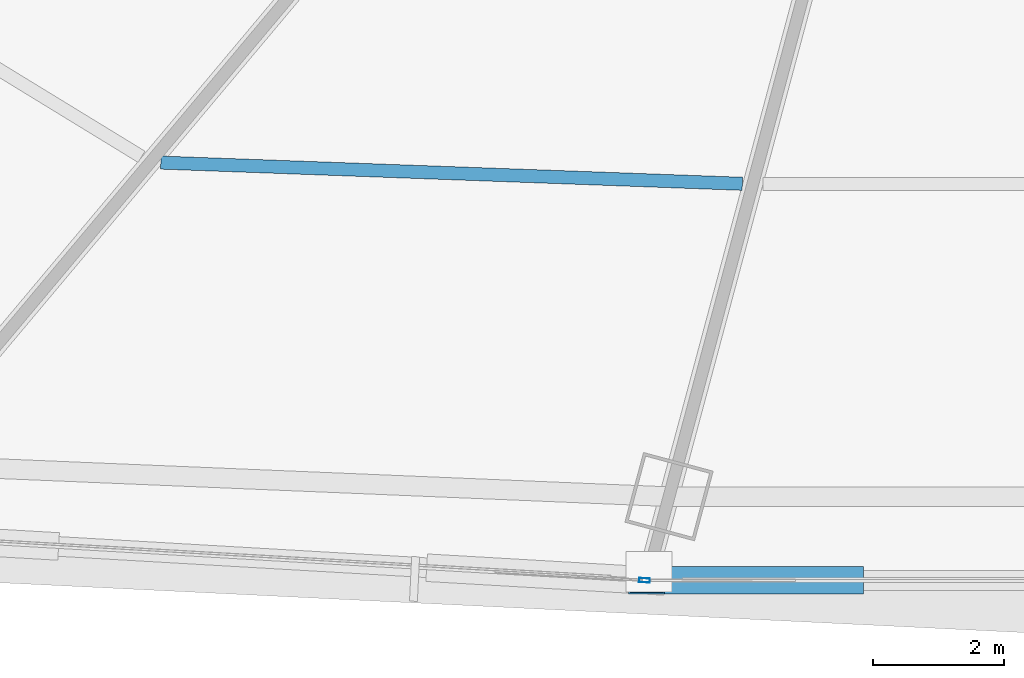
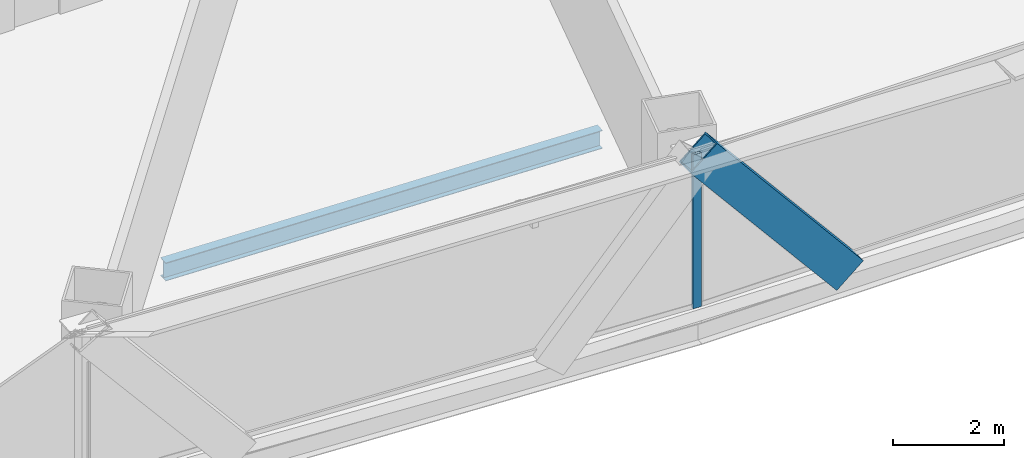
# One storey, part 8 of 37: 2 members, 1 beam, 1 element without a shape of its own.
"""IFC4 building model written with IfcOpenShell, lengths in metres."""

from ifc_helpers import new_model, si_unit, direction, frame, origin, origin_2d, place, context, subcontext, project, spatial, hollow_rectangle, i_section, extrude, source, transform, mapped, material, layer, layer_set, material_profile, profile_set, type_object, element, aggregate, save


model = new_model("IFC4")

# Units and contexts
model_context = context("Model", 3, precision=1e-05, world=origin(), true_north=direction((0.0, 1.0)))
body_context = subcontext(model_context, "Body", "Model", "MODEL_VIEW")
ifc_project = project(units=[si_unit("LENGTHUNIT", "METRE"), si_unit("AREAUNIT", "SQUARE_METRE"), si_unit("VOLUMEUNIT", "CUBIC_METRE"), si_unit("PLANEANGLEUNIT", "RADIAN"), si_unit("MASSUNIT", "GRAM", prefix="KILO"), si_unit("THERMODYNAMICTEMPERATUREUNIT", "KELVIN"), si_unit("POWERUNIT", "WATT")], contexts=[model_context])

# Site, building, storey
site_placement = place(None, origin())
site = spatial("IfcSite", under=ifc_project, at=site_placement, CompositionType="ELEMENT")
building_placement = place(site_placement, origin())
building = spatial("IfcBuilding", under=site, at=building_placement, Name="Yunzhuo Pagoda Commons", CompositionType="ELEMENT")
storey_placement = place(building_placement, frame((0.0, 0.0, 59.43994140625)))
storey = spatial("IfcBuildingStorey", under=building, at=storey_placement, Name="L15", CompositionType="ELEMENT", Elevation=59.43994140625)

# Beam
ifc_material_1 = material(Name="Structural steel Q355B", Category="steel")
ifc_material_profile_1 = material_profile(ifc_material_1, i_section(OverallWidth=0.199951171875, OverallDepth=0.39990234375, WebThickness=0.008056640625, FlangeThickness=0.012939453125, at=origin_2d()), Name="Structural steel Q355B")
ifc_profile_set_1 = profile_set([ifc_material_profile_1], Name="Structural steel Q355B")
beam_type = type_object("IfcBeamType", Name="B-JS1 Joist HN 400x200x8x13", PredefinedType="JOIST", material=ifc_profile_set_1)
shared_shape_1 = source(origin(), body_context, "Body", "SweptSolid", [
    extrude(i_section(OverallWidth=0.199951171875, OverallDepth=0.39990234375, WebThickness=0.008056640625, FlangeThickness=0.012939453125, at=origin_2d()), origin(), (0.0, 0.0, 1.0), 8.876953125),
])
beam_placement = place(storey_placement, frame((34.527099609375, 17.448486328125, -0.459716796875), z_axis=(0.999335806416, -0.036440993601, 0.0), x_axis=(0.036440993601, 0.999335806416, 0.0)))
element("IfcBeam", 1, at=beam_placement, inside=storey, type_object=beam_type, Name="L15 composite ring joist 2.1", PredefinedType="JOIST", context=body_context, shape_type="MappedRepresentation", body=[
    mapped(shared_shape_1, transform((0.0, 0.0, 0.0), scale=1.0)),
])

# Member
ifc_material_2 = material(Name="Structural steel Q420B", Category="steel")
ifc_material_profile_2 = material_profile(ifc_material_2, hollow_rectangle(XDim=0.419921875, YDim=0.719970703125, WallThickness=0.028076171875, at=origin_2d()), Name="Structural steel Q420B")
ifc_profile_set_2 = profile_set([ifc_material_profile_2], Name="Structural steel Q420B")
member_type_1 = type_object("IfcMemberType", Name="M-DL1 Brace BOX 720x420x28", PredefinedType="BRACE", material=ifc_profile_set_2)
shared_shape_2 = source(origin(), body_context, "Body", "SweptSolid", [
    extrude(hollow_rectangle(XDim=0.419921875, YDim=0.719970703125, WallThickness=0.028076171875, at=origin_2d()), origin(), (0.0, 0.0, 1.0), 4.729248046875),
])
member_1_placement = place(storey_placement, frame((44.96875, 11.07470703125, -0.260009765625), z_axis=(-0.640950808878, 0.0, 0.767581956927), x_axis=(0.0, -1.0, 0.0)))
element("IfcMember", 2, at=member_1_placement, inside=storey, type_object=member_type_1, Name="L15 facade diamond brace F1.2L", PredefinedType="BRACE", context=body_context, shape_type="MappedRepresentation", body=[
    mapped(shared_shape_2, transform((0.0, 0.0, 0.0), scale=1.0)),
])

# Curtain wall, member
ifc_material_3 = material(Name="Anodized aluminium 6063-T6", Category="aluminium")
ifc_layer = layer(ifc_material_3, 0.1650390625)
ifc_layer_set = layer_set([ifc_layer], Name="Anodized aluminium 6063-T6")
curtain_wall_type = type_object("IfcCurtainWallType", Name="CW-LOW Low-Zone Ribbon Curtain Wall", PredefinedType="NOTDEFINED", material=ifc_layer_set)
curtain_wall_placement = place(storey_placement, origin())
curtain_wall = element("IfcCurtainWall", 3, at=curtain_wall_placement, inside=storey, type_object=curtain_wall_type, Name="L15 curtain wall CW-L15-F1B2", PredefinedType="NOTDEFINED")
ifc_material_profile_3 = material_profile(ifc_material_3, hollow_rectangle(XDim=0.06494140625, YDim=0.1650390625, WallThickness=0.00390625, at=origin_2d()), Name="Anodized aluminium 6063-T6")
ifc_profile_set_3 = profile_set([ifc_material_profile_3], Name="Anodized aluminium 6063-T6")
member_type_2 = type_object("IfcMemberType", Name="CW-LOW-M Mullion RHS 165x65x4", PredefinedType="MULLION", material=ifc_profile_set_3)
shared_shape_3 = source(origin(), body_context, "Body", "SweptSolid", [
    extrude(hollow_rectangle(XDim=0.06494140625, YDim=0.1650390625, WallThickness=0.00390625, at=origin_2d()), origin(), (0.0, 0.0, 1.0), 3.3701171875),
])
member_2_placement = place(storey_placement, frame((41.905029296875, 11.076416015625, 0.0), z_axis=(0.0, 0.0, 1.0), x_axis=(0.057664069997, 0.998336043139, 0.0)))
member_2 = element("IfcMember", 4, at=member_2_placement, type_object=member_type_2, Name="CW mullion 2", PredefinedType="MULLION", context=body_context, shape_type="MappedRepresentation", body=[
    mapped(shared_shape_3, transform((0.0, 0.0, 0.0), scale=1.0)),
])
aggregate(curtain_wall, [member_2])

save(model, "model.ifc")
